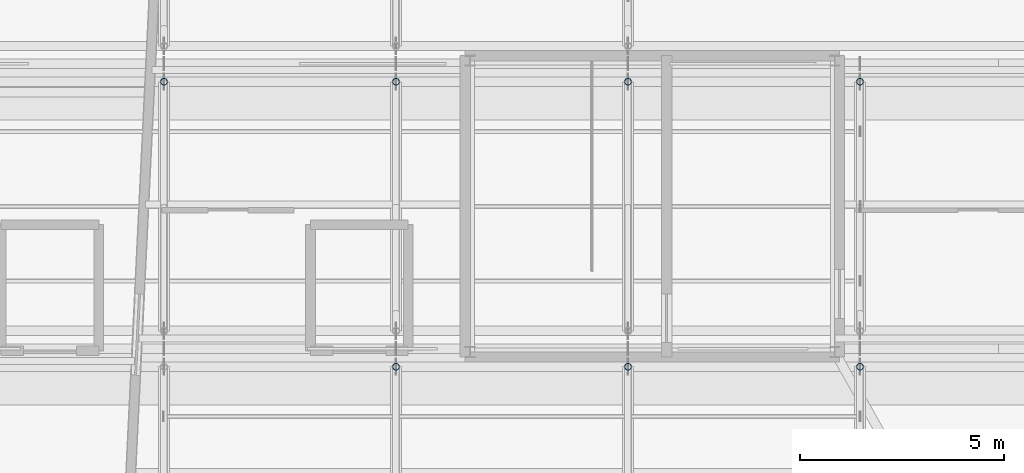
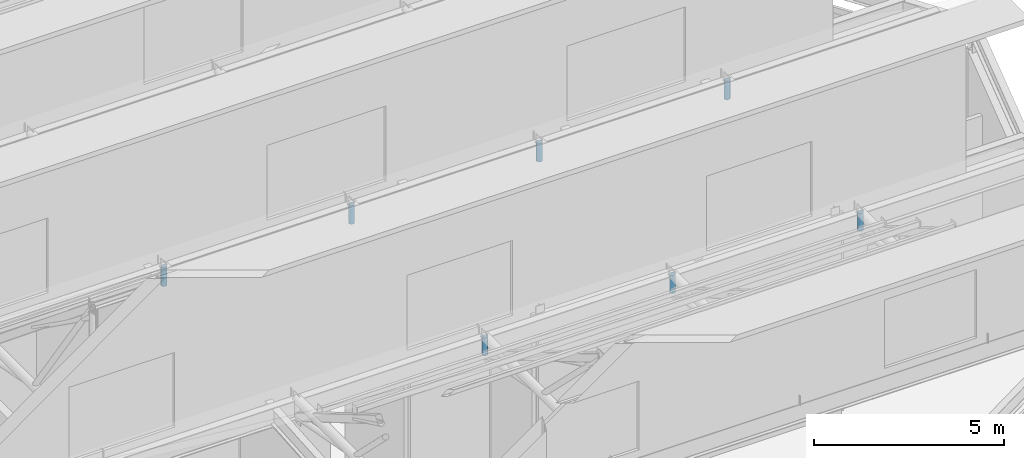
# One storey, part 39 of 55: 7 members.
"""IFC4 building model written with IfcOpenShell, lengths in metres."""

from ifc_helpers import new_model, si_unit, direction, frame, origin, origin_2d, place, context, subcontext, project, spatial, hollow_circle, extrude, material, material_profile, profile_set, type_object, element, save


model = new_model("IFC4")

# Units and contexts
model_context = context("Model", 3, precision=1e-05, world=origin(), true_north=direction((0.0, 1.0)))
body_context = subcontext(model_context, "Body", "Model", "MODEL_VIEW")
ifc_project = project(units=[si_unit("LENGTHUNIT", "METRE"), si_unit("AREAUNIT", "SQUARE_METRE"), si_unit("VOLUMEUNIT", "CUBIC_METRE"), si_unit("PLANEANGLEUNIT", "RADIAN"), si_unit("MASSUNIT", "GRAM", prefix="KILO")], contexts=[model_context])

# Site, building, storey
site_placement = place(None, origin())
site = spatial("IfcSite", under=ifc_project, at=site_placement, CompositionType="ELEMENT")
building_placement = place(site_placement, origin())
building = spatial("IfcBuilding", under=site, at=building_placement, Name="Tameran Prism Museum", CompositionType="ELEMENT")
storey_placement = place(building_placement, frame((0.0, 0.0, 28.800048828125)))
storey = spatial("IfcBuildingStorey", under=building, at=storey_placement, Name="L05", CompositionType="ELEMENT", Elevation=28.800048828125)

# Members
ifc_material = material(Name="Steel Grade C350L0 (350 MPa)", Category="steel")
ifc_material_profile = material_profile(ifc_material, hollow_circle(Radius=0.084228515625, WallThickness=0.007080078125, at=origin_2d()))
ifc_profile_set = profile_set([ifc_material_profile])
member_type = type_object("IfcMemberType", Name="MM-BR-CHS168", PredefinedType="BRACE", material=ifc_profile_set)
for number, where, z_axis, x_axis, name in (
    (1, (124.699951171875, 79.06005859375, 6.385986328125), (0.0, 0.0, -1.0), (1.0, 0.0, 0.0), "Sawtooth Brace STM-0011"),
    (2, (130.39990234375, 79.06005859375, 6.385986328125), (0.0, 0.0, -1.0), (1.0, 0.0, 0.0), "Sawtooth Brace STM-0018"),
    (3, (136.10009765625, 79.06005859375, 6.385986328125), (0.0, 0.0, -1.0), (1.0, 0.0, 0.0), "Sawtooth Brace STM-0025"),
):
    element("IfcMember", number, at=place(storey_placement, frame(where, z_axis=z_axis, x_axis=x_axis)), inside=storey, type_object=member_type, Name=name, PredefinedType="BRACE", context=body_context, shape_type="SweptSolid", body=[
        extrude(hollow_circle(Radius=0.084228515625, WallThickness=0.007080078125, at=origin_2d()), origin(), (0.0, 0.0, 1.0), 0.5771484375),
    ])
for number, where, z_axis, x_axis, name in (
    (4, (119.0, 86.06005859375, 6.385986328125), (0.0, 0.0, -1.0), (1.0, 0.0, 0.0), "Sawtooth Brace STM-0053"),
    (5, (124.699951171875, 86.06005859375, 6.385986328125), (0.0, 0.0, -1.0), (1.0, 0.0, 0.0), "Sawtooth Brace STM-0060"),
    (6, (130.39990234375, 86.06005859375, 6.385986328125), (0.0, 0.0, -1.0), (1.0, 0.0, 0.0), "Sawtooth Brace STM-0067"),
    (7, (136.10009765625, 86.06005859375, 6.385986328125), (0.0, 0.0, -1.0), (1.0, 0.0, 0.0), "Sawtooth Brace STM-0074"),
):
    element("IfcMember", number, at=place(storey_placement, frame(where, z_axis=z_axis, x_axis=x_axis)), inside=storey, type_object=member_type, Name=name, PredefinedType="BRACE", context=body_context, shape_type="SweptSolid", body=[
        extrude(hollow_circle(Radius=0.084228515625, WallThickness=0.007080078125, at=origin_2d()), origin(), (0.0, 0.0, 1.0), 0.59814453125),
    ])

save(model, "model.ifc")
